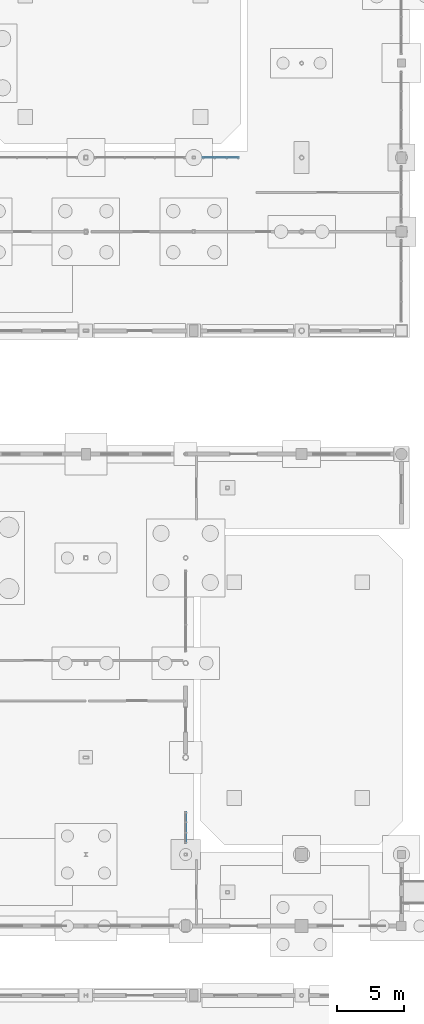
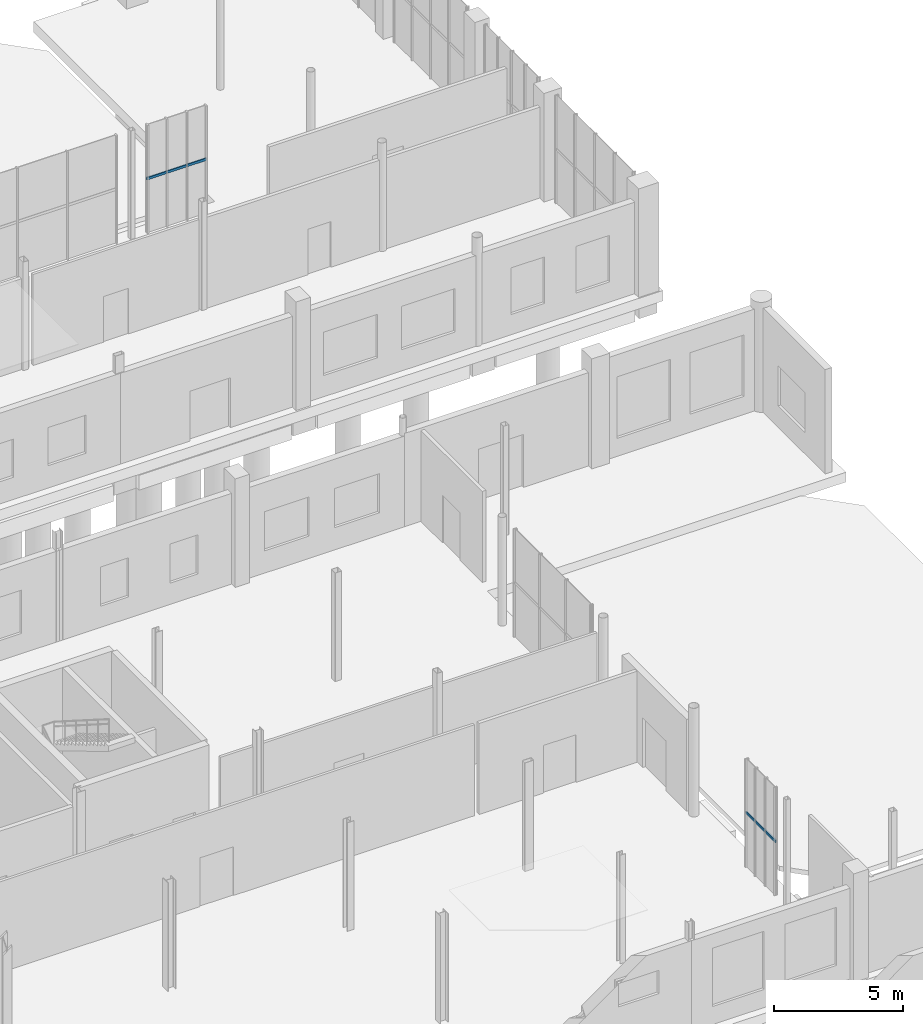
# One storey, part 56 of 87: 6 members, 2 elements without a shape of their own.
"""IFC4 building model written with IfcOpenShell, lengths in metres."""

from ifc_helpers import new_model, si_unit, direction, frame, origin, origin_2d, place, context, subcontext, project, spatial, rectangle, extrude, material, material_profile, profile_set, type_object, element, aggregate, save


model = new_model("IFC4")

# Units and contexts
model_context = context("Model", 3, precision=1e-05, world=origin(), true_north=direction((0.0, 1.0)))
body_context = subcontext(model_context, "Body", "Model", "MODEL_VIEW")
ifc_project = project(units=[si_unit("LENGTHUNIT", "METRE"), si_unit("AREAUNIT", "SQUARE_METRE"), si_unit("VOLUMEUNIT", "CUBIC_METRE"), si_unit("PLANEANGLEUNIT", "RADIAN"), si_unit("MASSUNIT", "GRAM", prefix="KILO")], contexts=[model_context])

# Site, building, storey
site_placement = place(None, origin())
site = spatial("IfcSite", under=ifc_project, at=site_placement, CompositionType="ELEMENT")
building_placement = place(site_placement, origin())
building = spatial("IfcBuilding", under=site, at=building_placement, Name="Brisemont Oceanarium", CompositionType="ELEMENT")
storey_placement = place(building_placement, origin())
storey = spatial("IfcBuildingStorey", under=building, at=storey_placement, Name="L00", CompositionType="ELEMENT", Elevation=0.0)

# Curtain wall, members
ifc_material_1 = material(Name="Anodized Extruded Aluminum 6063-T6", Category="aluminium")
curtain_wall_type_1 = type_object("IfcCurtainWallType", Name="CW-GAL-61X43", PredefinedType="NOTDEFINED", material=ifc_material_1)
curtain_wall_1_placement = place(storey_placement, origin())
curtain_wall_1 = element("IfcCurtainWall", 1, at=curtain_wall_1_placement, inside=storey, type_object=curtain_wall_type_1, Name="CW-13 curtain wall CW-V5E-MC-L00-01", PredefinedType="NOTDEFINED")
ifc_material_2 = material(Name="Anodized Extruded Aluminum 6063-T6", Category="aluminium")
ifc_material_profile = material_profile(ifc_material_2, rectangle(XDim=0.06005859375, YDim=0.1201171875, at=origin_2d()), Name="CWT-60X120")
ifc_profile_set = profile_set([ifc_material_profile], Name="Anodized Extruded Aluminum 6063-T6")
member_type = type_object("IfcMemberType", Name="MEM-CWT-60", PredefinedType="USERDEFINED", material=ifc_profile_set)
member_1_placement = place(storey_placement, frame((143.39990234375, 42.6650390625, 2.550048828125), z_axis=(0.0, 1.0, 0.0), x_axis=(-1.0, 0.0, 0.0)))
member_1 = element("IfcMember", 2, at=member_1_placement, type_object=member_type, Name="CW-V5E-MC-L00-01 transom 1.1", ObjectType="TRANSOM", PredefinedType="USERDEFINED", context=body_context, shape_type="SweptSolid", body=[
    extrude(rectangle(XDim=0.06005859375, YDim=0.1201171875, at=origin_2d()), origin(), (0.0, 0.0, 1.0), 0.736572265625),
])
member_2_placement = place(storey_placement, frame((143.39990234375, 43.431640625, 2.550048828125), z_axis=(0.0, 1.0, 0.0), x_axis=(-1.0, 0.0, 0.0)))
member_2 = element("IfcMember", 3, at=member_2_placement, type_object=member_type, Name="CW-V5E-MC-L00-01 transom 2.1", ObjectType="TRANSOM", PredefinedType="USERDEFINED", context=body_context, shape_type="SweptSolid", body=[
    extrude(rectangle(XDim=0.06005859375, YDim=0.1201171875, at=origin_2d()), origin(), (0.0, 0.0, 1.0), 0.736572265625),
])
member_3_placement = place(storey_placement, frame((143.39990234375, 44.1982421875, 2.550048828125), z_axis=(0.0, 1.0, 0.0), x_axis=(-1.0, 0.0, 0.0)))
member_3 = element("IfcMember", 4, at=member_3_placement, type_object=member_type, Name="CW-V5E-MC-L00-01 transom 3.1", ObjectType="TRANSOM", PredefinedType="USERDEFINED", context=body_context, shape_type="SweptSolid", body=[
    extrude(rectangle(XDim=0.06005859375, YDim=0.1201171875, at=origin_2d()), origin(), (0.0, 0.0, 1.0), 0.73681640625),
])
aggregate(curtain_wall_1, [member_1, member_2, member_3])

ifc_material_3 = material(Name="Anodized Extruded Aluminum 6063-T6", Category="aluminium")
curtain_wall_type_2 = type_object("IfcCurtainWallType", Name="CW-RES-52X41", PredefinedType="NOTDEFINED", material=ifc_material_3)
curtain_wall_2_placement = place(storey_placement, origin())
curtain_wall_2 = element("IfcCurtainWall", 5, at=curtain_wall_2_placement, inside=storey, type_object=curtain_wall_type_2, Name="CW-18 curtain wall CW-V6-CL-L00-03", PredefinedType="NOTDEFINED")
member_4_placement = place(storey_placement, frame((144.6650390625, 93.5, 2.550048828125), z_axis=(1.0, 0.0, 0.0), x_axis=(0.0, 1.0, 0.0)))
member_4 = element("IfcMember", 6, at=member_4_placement, type_object=member_type, Name="CW-V6-CL-L00-03 transom 1.1", ObjectType="TRANSOM", PredefinedType="USERDEFINED", context=body_context, shape_type="SweptSolid", body=[
    extrude(rectangle(XDim=0.06005859375, YDim=0.1201171875, at=origin_2d()), origin(), (0.0, 0.0, 1.0), 0.869873046875),
])
member_5_placement = place(storey_placement, frame((145.56494140625, 93.5, 2.550048828125), z_axis=(1.0, 0.0, 0.0), x_axis=(0.0, 1.0, 0.0)))
member_5 = element("IfcMember", 7, at=member_5_placement, type_object=member_type, Name="CW-V6-CL-L00-03 transom 2.1", ObjectType="TRANSOM", PredefinedType="USERDEFINED", context=body_context, shape_type="SweptSolid", body=[
    extrude(rectangle(XDim=0.06005859375, YDim=0.1201171875, at=origin_2d()), origin(), (0.0, 0.0, 1.0), 0.8701171875),
])
member_6_placement = place(storey_placement, frame((146.465087890625, 93.5, 2.550048828125), z_axis=(1.0, 0.0, 0.0), x_axis=(0.0, 1.0, 0.0)))
member_6 = element("IfcMember", 8, at=member_6_placement, type_object=member_type, Name="CW-V6-CL-L00-03 transom 3.1", ObjectType="TRANSOM", PredefinedType="USERDEFINED", context=body_context, shape_type="SweptSolid", body=[
    extrude(rectangle(XDim=0.06005859375, YDim=0.1201171875, at=origin_2d()), origin(), (0.0, 0.0, 1.0), 0.869873046875),
])
aggregate(curtain_wall_2, [member_4, member_5, member_6])

save(model, "model.ifc")
